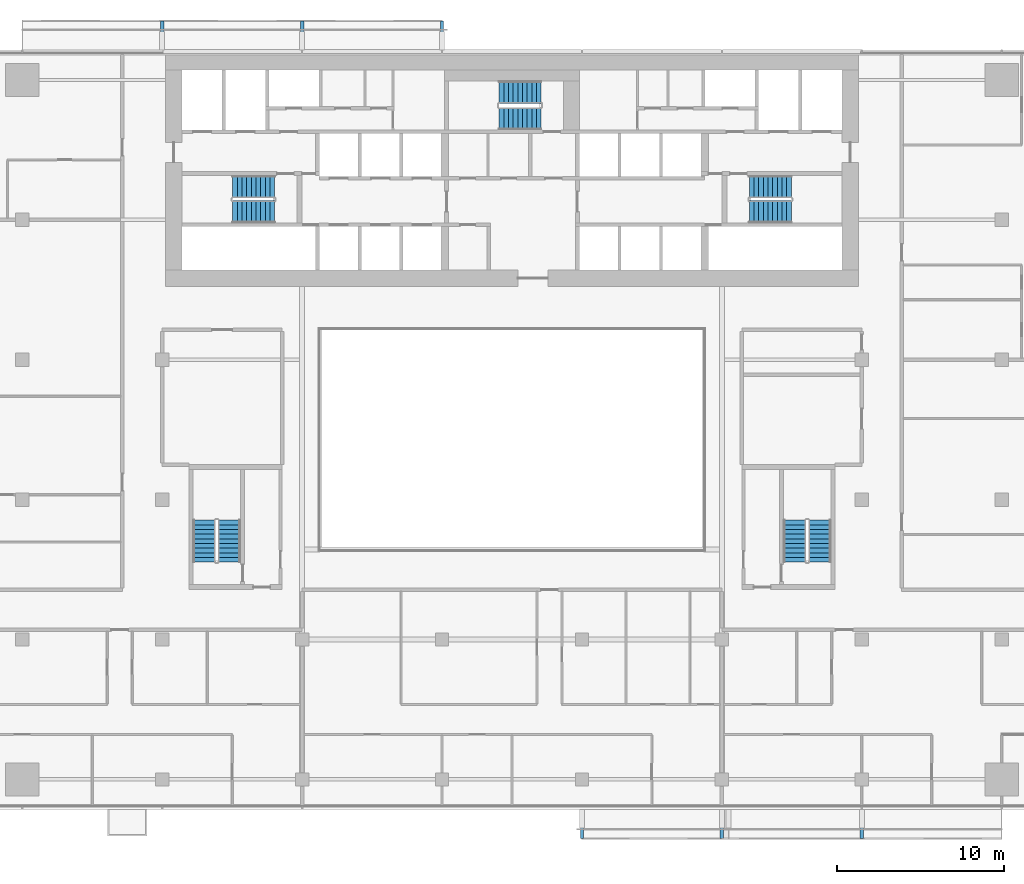
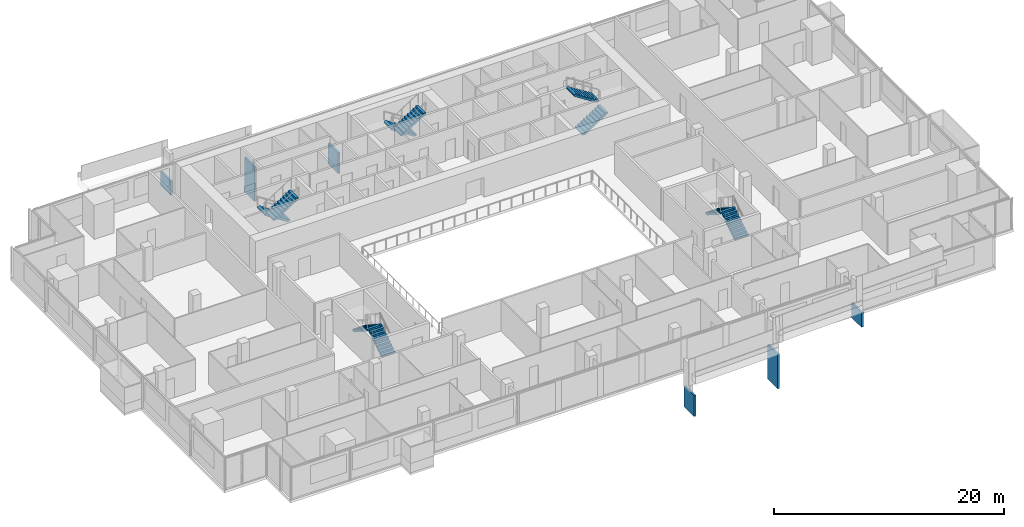
# One storey, part 24 of 27: 10 stair flights, 6 discrete accessories, 5 elements without a shape of their own.
"""IFC4 building model written with IfcOpenShell, lengths in metres."""

from ifc_helpers import new_model, si_unit, direction, frame, origin, origin_2d, place, context, subcontext, project, spatial, polyline, rectangle, outline, extrude, material, type_object, element, aggregate, save


model = new_model("IFC4")

# Units and contexts
model_context = context("Model", 3, precision=1e-05, world=origin(), true_north=direction((0.0, 1.0)))
body_context = subcontext(model_context, "Body", "Model", "MODEL_VIEW")
ifc_project = project(units=[si_unit("LENGTHUNIT", "METRE"), si_unit("AREAUNIT", "SQUARE_METRE"), si_unit("VOLUMEUNIT", "CUBIC_METRE"), si_unit("PLANEANGLEUNIT", "RADIAN"), si_unit("MASSUNIT", "GRAM", prefix="KILO")], contexts=[model_context])

# Site, building, storey
site_placement = place(None, origin())
site = spatial("IfcSite", under=ifc_project, at=site_placement, CompositionType="ELEMENT")
building_placement = place(site_placement, origin())
building = spatial("IfcBuilding", under=site, at=building_placement, Name="Saffron Gate Tower", CompositionType="ELEMENT")
storey_placement = place(building_placement, frame((0.0, 0.0, 124.050048828125)))
storey = spatial("IfcBuildingStorey", under=building, at=storey_placement, Name="L29", CompositionType="ELEMENT", Elevation=124.050048828125)

# Stair, stair flights
ifc_material = material(Name="Concrete C40", Category="concrete")
stair_type = type_object("IfcStairType", Name="ST7 Stair 1350 wide, 20 risers of 180", PredefinedType="HALF_TURN_STAIR", material=ifc_material)
stair_1_placement = place(storey_placement, origin())
stair_1 = element("IfcStair", 1, at=stair_1_placement, inside=storey, type_object=stair_type, Name="L29 Exit stair A", PredefinedType="HALF_TURN_STAIR")
stair_flight_type = type_object("IfcStairFlightType", Name="SF3 Stair flight 1350 wide, riser 180 going 280", PredefinedType="STRAIGHT", material=ifc_material)
stair_flight_1_placement = place(storey_placement, frame((73.35009765625, 67.375, 0.0), z_axis=(0.0, 0.0, 1.0), x_axis=(-1.0, 0.0, 0.0)))
stair_flight_1 = element("IfcStairFlight", 2, at=stair_flight_1_placement, type_object=stair_flight_type, Name="ST-A flight 1", NumberOfRisers=10, NumberOfTreads=9, PredefinedType="STRAIGHT", RiserHeight=0.18, TreadLength=0.28, context=body_context, shape_type="SweptSolid", body=[
    extrude(outline(polyline([(0.0, 0.0), (0.0, 0.179931640625), (0.280029296875, 0.179931640625), (0.280029296875, 0.360107421875), (0.56005859375, 0.360107421875), (0.56005859375, 0.5400390625), (0.840087890625, 0.5400390625), (0.840087890625, 0.719970703125), (1.1201171875, 0.719970703125), (1.1201171875, 0.89990234375), (1.39990234375, 0.89990234375), (1.39990234375, 1.080078125), (1.679931640625, 1.080078125), (1.679931640625, 1.260009765625), (1.9599609375, 1.260009765625), (1.9599609375, 1.43994140625), (2.239990234375, 1.43994140625), (2.239990234375, 1.6201171875), (2.52001953125, 1.6201171875), (2.52001953125, 1.800048828125), (2.52001953125, 1.44189453125), (0.277099609375, 0.0), (0.0, 0.0)])), frame((0.0, 0.675048828125, 0.0), z_axis=(0.0, -1.0, 0.0), x_axis=(1.0, 0.0, 0.0)), (0.0, 0.0, 1.0), 1.35009765625),
])
stair_flight_2_placement = place(storey_placement, frame((70.830078125, 65.875, 1.800048828125), z_axis=(0.0, 0.0, 1.0), x_axis=(1.0, 0.0, 0.0)))
stair_flight_2 = element("IfcStairFlight", 3, at=stair_flight_2_placement, type_object=stair_flight_type, Name="ST-A flight 2", NumberOfRisers=10, NumberOfTreads=9, PredefinedType="STRAIGHT", RiserHeight=0.18, TreadLength=0.28, context=body_context, shape_type="SweptSolid", body=[
    extrude(outline(polyline([(0.0, 0.0), (0.0, 0.179931640625), (0.280029296875, 0.179931640625), (0.280029296875, 0.360107421875), (0.56005859375, 0.360107421875), (0.56005859375, 0.5400390625), (0.840087890625, 0.5400390625), (0.840087890625, 0.719970703125), (1.1201171875, 0.719970703125), (1.1201171875, 0.89990234375), (1.39990234375, 0.89990234375), (1.39990234375, 1.080078125), (1.679931640625, 1.080078125), (1.679931640625, 1.260009765625), (1.9599609375, 1.260009765625), (1.9599609375, 1.43994140625), (2.239990234375, 1.43994140625), (2.239990234375, 1.6201171875), (2.52001953125, 1.6201171875), (2.52001953125, 1.800048828125), (2.52001953125, 1.44189453125), (0.277099609375, 0.0), (0.0, 0.0)])), frame((0.0, 0.675048828125, 0.0), z_axis=(0.0, -1.0, 0.0), x_axis=(1.0, 0.0, 0.0)), (0.0, 0.0, 1.0), 1.35009765625),
])
aggregate(stair_1, [stair_flight_1, stair_flight_2])

stair_2_placement = place(storey_placement, origin())
stair_2 = element("IfcStair", 4, at=stair_2_placement, inside=storey, type_object=stair_type, Name="L29 Exit stair B", PredefinedType="HALF_TURN_STAIR")
stair_flight_3_placement = place(storey_placement, frame((101.85009765625, 65.875, 0.0), z_axis=(0.0, 0.0, 1.0), x_axis=(1.0, 0.0, 0.0)))
stair_flight_3 = element("IfcStairFlight", 5, at=stair_flight_3_placement, type_object=stair_flight_type, Name="ST-B flight 1", NumberOfRisers=10, NumberOfTreads=9, PredefinedType="STRAIGHT", RiserHeight=0.18, TreadLength=0.28, context=body_context, shape_type="SweptSolid", body=[
    extrude(outline(polyline([(0.0, 0.0), (0.0, 0.179931640625), (0.280029296875, 0.179931640625), (0.280029296875, 0.360107421875), (0.56005859375, 0.360107421875), (0.56005859375, 0.5400390625), (0.840087890625, 0.5400390625), (0.840087890625, 0.719970703125), (1.1201171875, 0.719970703125), (1.1201171875, 0.89990234375), (1.39990234375, 0.89990234375), (1.39990234375, 1.080078125), (1.679931640625, 1.080078125), (1.679931640625, 1.260009765625), (1.9599609375, 1.260009765625), (1.9599609375, 1.43994140625), (2.239990234375, 1.43994140625), (2.239990234375, 1.6201171875), (2.52001953125, 1.6201171875), (2.52001953125, 1.800048828125), (2.52001953125, 1.44189453125), (0.277099609375, 0.0), (0.0, 0.0)])), frame((0.0, 0.675048828125, 0.0), z_axis=(0.0, -1.0, 0.0), x_axis=(1.0, 0.0, 0.0)), (0.0, 0.0, 1.0), 1.35009765625),
])
stair_flight_4_placement = place(storey_placement, frame((104.3701171875, 67.375, 1.800048828125), z_axis=(0.0, 0.0, 1.0), x_axis=(-1.0, 0.0, 0.0)))
stair_flight_4 = element("IfcStairFlight", 6, at=stair_flight_4_placement, type_object=stair_flight_type, Name="ST-B flight 2", NumberOfRisers=10, NumberOfTreads=9, PredefinedType="STRAIGHT", RiserHeight=0.18, TreadLength=0.28, context=body_context, shape_type="SweptSolid", body=[
    extrude(outline(polyline([(0.0, 0.0), (0.0, 0.179931640625), (0.280029296875, 0.179931640625), (0.280029296875, 0.360107421875), (0.56005859375, 0.360107421875), (0.56005859375, 0.5400390625), (0.840087890625, 0.5400390625), (0.840087890625, 0.719970703125), (1.1201171875, 0.719970703125), (1.1201171875, 0.89990234375), (1.39990234375, 0.89990234375), (1.39990234375, 1.080078125), (1.679931640625, 1.080078125), (1.679931640625, 1.260009765625), (1.9599609375, 1.260009765625), (1.9599609375, 1.43994140625), (2.239990234375, 1.43994140625), (2.239990234375, 1.6201171875), (2.52001953125, 1.6201171875), (2.52001953125, 1.800048828125), (2.52001953125, 1.44189453125), (0.277099609375, 0.0), (0.0, 0.0)])), frame((0.0, 0.675048828125, 0.0), z_axis=(0.0, -1.0, 0.0), x_axis=(1.0, 0.0, 0.0)), (0.0, 0.0, 1.0), 1.35009765625),
])
aggregate(stair_2, [stair_flight_3, stair_flight_4])

stair_3_placement = place(storey_placement, origin())
stair_3 = element("IfcStair", 7, at=stair_3_placement, inside=storey, type_object=stair_type, Name="L29 Exit stair C", PredefinedType="HALF_TURN_STAIR")
stair_flight_5_placement = place(storey_placement, frame((89.35009765625, 73.074951171875, 0.0), z_axis=(0.0, 0.0, 1.0), x_axis=(-1.0, 0.0, 0.0)))
stair_flight_5 = element("IfcStairFlight", 8, at=stair_flight_5_placement, type_object=stair_flight_type, Name="ST-C flight 1", NumberOfRisers=10, NumberOfTreads=9, PredefinedType="STRAIGHT", RiserHeight=0.18, TreadLength=0.28, context=body_context, shape_type="SweptSolid", body=[
    extrude(outline(polyline([(0.0, 0.0), (0.0, 0.179931640625), (0.280029296875, 0.179931640625), (0.280029296875, 0.360107421875), (0.56005859375, 0.360107421875), (0.56005859375, 0.5400390625), (0.840087890625, 0.5400390625), (0.840087890625, 0.719970703125), (1.1201171875, 0.719970703125), (1.1201171875, 0.89990234375), (1.39990234375, 0.89990234375), (1.39990234375, 1.080078125), (1.679931640625, 1.080078125), (1.679931640625, 1.260009765625), (1.9599609375, 1.260009765625), (1.9599609375, 1.43994140625), (2.239990234375, 1.43994140625), (2.239990234375, 1.6201171875), (2.52001953125, 1.6201171875), (2.52001953125, 1.800048828125), (2.52001953125, 1.44189453125), (0.277099609375, 0.0), (0.0, 0.0)])), frame((0.0, 0.675048828125, 0.0), z_axis=(0.0, -1.0, 0.0), x_axis=(1.0, 0.0, 0.0)), (0.0, 0.0, 1.0), 1.35009765625),
])
stair_flight_6_placement = place(storey_placement, frame((86.830078125, 71.47509765625, 1.800048828125), z_axis=(0.0, 0.0, 1.0), x_axis=(1.0, 0.0, 0.0)))
stair_flight_6 = element("IfcStairFlight", 9, at=stair_flight_6_placement, type_object=stair_flight_type, Name="ST-C flight 2", NumberOfRisers=10, NumberOfTreads=9, PredefinedType="STRAIGHT", RiserHeight=0.18, TreadLength=0.28, context=body_context, shape_type="SweptSolid", body=[
    extrude(outline(polyline([(0.0, 0.0), (0.0, 0.179931640625), (0.280029296875, 0.179931640625), (0.280029296875, 0.360107421875), (0.56005859375, 0.360107421875), (0.56005859375, 0.5400390625), (0.840087890625, 0.5400390625), (0.840087890625, 0.719970703125), (1.1201171875, 0.719970703125), (1.1201171875, 0.89990234375), (1.39990234375, 0.89990234375), (1.39990234375, 1.080078125), (1.679931640625, 1.080078125), (1.679931640625, 1.260009765625), (1.9599609375, 1.260009765625), (1.9599609375, 1.43994140625), (2.239990234375, 1.43994140625), (2.239990234375, 1.6201171875), (2.52001953125, 1.6201171875), (2.52001953125, 1.800048828125), (2.52001953125, 1.44189453125), (0.277099609375, 0.0), (0.0, 0.0)])), frame((0.0, 0.675048828125, 0.0), z_axis=(0.0, -1.0, 0.0), x_axis=(1.0, 0.0, 0.0)), (0.0, 0.0, 1.0), 1.35009765625),
])
aggregate(stair_3, [stair_flight_5, stair_flight_6])

stair_4_placement = place(storey_placement, origin())
stair_4 = element("IfcStair", 10, at=stair_4_placement, inside=storey, type_object=stair_type, Name="L29 Exit stair D", PredefinedType="HALF_TURN_STAIR")
stair_flight_7_placement = place(storey_placement, frame((70.625, 44.85009765625, 0.0), z_axis=(0.0, 0.0, 1.0), x_axis=(0.0, 1.0, 0.0)))
stair_flight_7 = element("IfcStairFlight", 11, at=stair_flight_7_placement, type_object=stair_flight_type, Name="ST-D flight 1", NumberOfRisers=10, NumberOfTreads=9, PredefinedType="STRAIGHT", RiserHeight=0.18, TreadLength=0.28, context=body_context, shape_type="SweptSolid", body=[
    extrude(outline(polyline([(0.0, 0.0), (0.0, 0.179931640625), (0.280029296875, 0.179931640625), (0.280029296875, 0.360107421875), (0.56005859375, 0.360107421875), (0.56005859375, 0.5400390625), (0.840087890625, 0.5400390625), (0.840087890625, 0.719970703125), (1.1201171875, 0.719970703125), (1.1201171875, 0.89990234375), (1.39990234375, 0.89990234375), (1.39990234375, 1.080078125), (1.679931640625, 1.080078125), (1.679931640625, 1.260009765625), (1.9599609375, 1.260009765625), (1.9599609375, 1.43994140625), (2.239990234375, 1.43994140625), (2.239990234375, 1.6201171875), (2.52001953125, 1.6201171875), (2.52001953125, 1.800048828125), (2.52001953125, 1.44189453125), (0.277099609375, 0.0), (0.0, 0.0)])), frame((0.0, 0.675048828125, 0.0), z_axis=(0.0, -1.0, 0.0), x_axis=(1.0, 0.0, 0.0)), (0.0, 0.0, 1.0), 1.35009765625),
])
stair_flight_8_placement = place(storey_placement, frame((69.125, 47.3701171875, 1.800048828125), z_axis=(0.0, 0.0, 1.0), x_axis=(0.0, -1.0, 0.0)))
stair_flight_8 = element("IfcStairFlight", 12, at=stair_flight_8_placement, type_object=stair_flight_type, Name="ST-D flight 2", NumberOfRisers=10, NumberOfTreads=9, PredefinedType="STRAIGHT", RiserHeight=0.18, TreadLength=0.28, context=body_context, shape_type="SweptSolid", body=[
    extrude(outline(polyline([(0.0, 0.0), (0.0, 0.179931640625), (0.280029296875, 0.179931640625), (0.280029296875, 0.360107421875), (0.56005859375, 0.360107421875), (0.56005859375, 0.5400390625), (0.840087890625, 0.5400390625), (0.840087890625, 0.719970703125), (1.1201171875, 0.719970703125), (1.1201171875, 0.89990234375), (1.39990234375, 0.89990234375), (1.39990234375, 1.080078125), (1.679931640625, 1.080078125), (1.679931640625, 1.260009765625), (1.9599609375, 1.260009765625), (1.9599609375, 1.43994140625), (2.239990234375, 1.43994140625), (2.239990234375, 1.6201171875), (2.52001953125, 1.6201171875), (2.52001953125, 1.800048828125), (2.52001953125, 1.44189453125), (0.277099609375, 0.0), (0.0, 0.0)])), frame((0.0, 0.675048828125, 0.0), z_axis=(0.0, -1.0, 0.0), x_axis=(1.0, 0.0, 0.0)), (0.0, 0.0, 1.0), 1.35009765625),
])
aggregate(stair_4, [stair_flight_7, stair_flight_8])

stair_5_placement = place(storey_placement, origin())
stair_5 = element("IfcStair", 13, at=stair_5_placement, inside=storey, type_object=stair_type, Name="L29 Exit stair E", PredefinedType="HALF_TURN_STAIR")
stair_flight_9_placement = place(storey_placement, frame((106.074951171875, 44.85009765625, 0.0), z_axis=(0.0, 0.0, 1.0), x_axis=(0.0, 1.0, 0.0)))
stair_flight_9 = element("IfcStairFlight", 14, at=stair_flight_9_placement, type_object=stair_flight_type, Name="ST-E flight 1", NumberOfRisers=10, NumberOfTreads=9, PredefinedType="STRAIGHT", RiserHeight=0.18, TreadLength=0.28, context=body_context, shape_type="SweptSolid", body=[
    extrude(outline(polyline([(0.0, 0.0), (0.0, 0.179931640625), (0.280029296875, 0.179931640625), (0.280029296875, 0.360107421875), (0.56005859375, 0.360107421875), (0.56005859375, 0.5400390625), (0.840087890625, 0.5400390625), (0.840087890625, 0.719970703125), (1.1201171875, 0.719970703125), (1.1201171875, 0.89990234375), (1.39990234375, 0.89990234375), (1.39990234375, 1.080078125), (1.679931640625, 1.080078125), (1.679931640625, 1.260009765625), (1.9599609375, 1.260009765625), (1.9599609375, 1.43994140625), (2.239990234375, 1.43994140625), (2.239990234375, 1.6201171875), (2.52001953125, 1.6201171875), (2.52001953125, 1.800048828125), (2.52001953125, 1.44189453125), (0.277099609375, 0.0), (0.0, 0.0)])), frame((0.0, 0.675048828125, 0.0), z_axis=(0.0, -1.0, 0.0), x_axis=(1.0, 0.0, 0.0)), (0.0, 0.0, 1.0), 1.35009765625),
])
stair_flight_10_placement = place(storey_placement, frame((104.574951171875, 47.3701171875, 1.800048828125), z_axis=(0.0, 0.0, 1.0), x_axis=(0.0, -1.0, 0.0)))
stair_flight_10 = element("IfcStairFlight", 15, at=stair_flight_10_placement, type_object=stair_flight_type, Name="ST-E flight 2", NumberOfRisers=10, NumberOfTreads=9, PredefinedType="STRAIGHT", RiserHeight=0.18, TreadLength=0.28, context=body_context, shape_type="SweptSolid", body=[
    extrude(outline(polyline([(0.0, 0.0), (0.0, 0.179931640625), (0.280029296875, 0.179931640625), (0.280029296875, 0.360107421875), (0.56005859375, 0.360107421875), (0.56005859375, 0.5400390625), (0.840087890625, 0.5400390625), (0.840087890625, 0.719970703125), (1.1201171875, 0.719970703125), (1.1201171875, 0.89990234375), (1.39990234375, 0.89990234375), (1.39990234375, 1.080078125), (1.679931640625, 1.080078125), (1.679931640625, 1.260009765625), (1.9599609375, 1.260009765625), (1.9599609375, 1.43994140625), (2.239990234375, 1.43994140625), (2.239990234375, 1.6201171875), (2.52001953125, 1.6201171875), (2.52001953125, 1.800048828125), (2.52001953125, 1.44189453125), (0.277099609375, 0.0), (0.0, 0.0)])), frame((0.0, 0.675048828125, 0.0), z_axis=(0.0, -1.0, 0.0), x_axis=(1.0, 0.0, 0.0)), (0.0, 0.0, 1.0), 1.35009765625),
])
aggregate(stair_5, [stair_flight_9, stair_flight_10])

# Discrete accessories
discrete_accessory_1_placement = place(storey_placement, frame((83.39990234375, 76.47509765625, -3.8798828125), z_axis=(0.0, 0.0, 1.0), x_axis=(-1.0, 0.0, 0.0)))
element("IfcDiscreteAccessory", 16, at=discrete_accessory_1_placement, inside=storey, Name="LEDGE rib", PredefinedType="BRACKET", context=body_context, shape_type="SweptSolid", body=[
    extrude(rectangle(XDim=0.199951171875, YDim=1.75, at=origin_2d()), origin(), (0.0, 0.0, 1.0), 2.208251953125),
])
discrete_accessory_2_placement = place(storey_placement, frame((75.0, 76.47509765625, -3.8798828125), z_axis=(0.0, 0.0, 1.0), x_axis=(-1.0, 0.0, 0.0)))
element("IfcDiscreteAccessory", 17, at=discrete_accessory_2_placement, inside=storey, Name="LEDGE rib", PredefinedType="BRACKET", context=body_context, shape_type="SweptSolid", body=[
    extrude(rectangle(XDim=0.199951171875, YDim=1.75, at=origin_2d()), origin(), (0.0, 0.0, 1.0), 3.650634765625),
])
discrete_accessory_3_placement = place(storey_placement, frame((66.60009765625, 76.47509765625, -0.2802734375), z_axis=(0.0, 0.0, 1.0), x_axis=(-1.0, 0.0, 0.0)))
element("IfcDiscreteAccessory", 18, at=discrete_accessory_3_placement, inside=storey, Name="LEDGE rib", PredefinedType="BRACKET", context=body_context, shape_type="SweptSolid", body=[
    extrude(rectangle(XDim=0.199951171875, YDim=1.75, at=origin_2d()), origin(), (0.0, 0.0, 1.0), 1.492919921875),
])
discrete_accessory_4_placement = place(storey_placement, frame((91.800048828125, 29.125, -3.8798828125), z_axis=(0.0, 0.0, 1.0), x_axis=(1.0, 0.0, 0.0)))
element("IfcDiscreteAccessory", 19, at=discrete_accessory_4_placement, inside=storey, Name="LEDGE rib", PredefinedType="BRACKET", context=body_context, shape_type="SweptSolid", body=[
    extrude(rectangle(XDim=0.199951171875, YDim=1.75, at=origin_2d()), origin(), (0.0, 0.0, 1.0), 2.208251953125),
])
discrete_accessory_5_placement = place(storey_placement, frame((100.199951171875, 29.125, -3.8798828125), z_axis=(0.0, 0.0, 1.0), x_axis=(1.0, 0.0, 0.0)))
element("IfcDiscreteAccessory", 20, at=discrete_accessory_5_placement, inside=storey, Name="LEDGE rib", PredefinedType="BRACKET", context=body_context, shape_type="SweptSolid", body=[
    extrude(rectangle(XDim=0.199951171875, YDim=1.75, at=origin_2d()), origin(), (0.0, 0.0, 1.0), 3.650634765625),
])
discrete_accessory_6_placement = place(storey_placement, frame((108.60009765625, 29.125, -0.2802734375), z_axis=(0.0, 0.0, 1.0), x_axis=(1.0, 0.0, 0.0)))
element("IfcDiscreteAccessory", 21, at=discrete_accessory_6_placement, inside=storey, Name="LEDGE rib", PredefinedType="BRACKET", context=body_context, shape_type="SweptSolid", body=[
    extrude(rectangle(XDim=0.199951171875, YDim=1.75, at=origin_2d()), origin(), (0.0, 0.0, 1.0), 1.550048828125),
])

save(model, "model.ifc")
